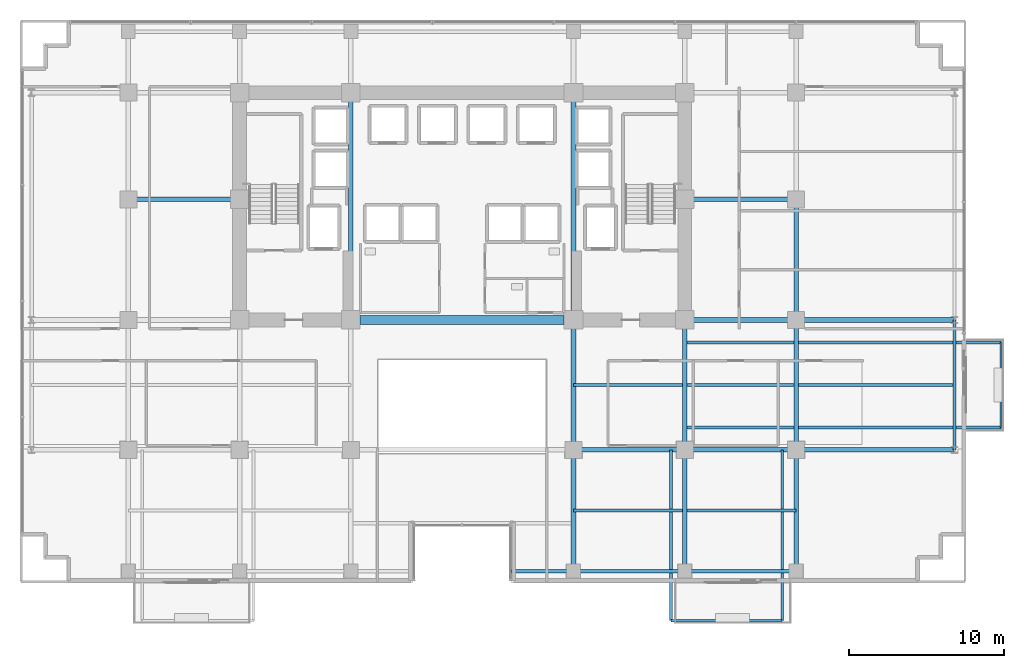
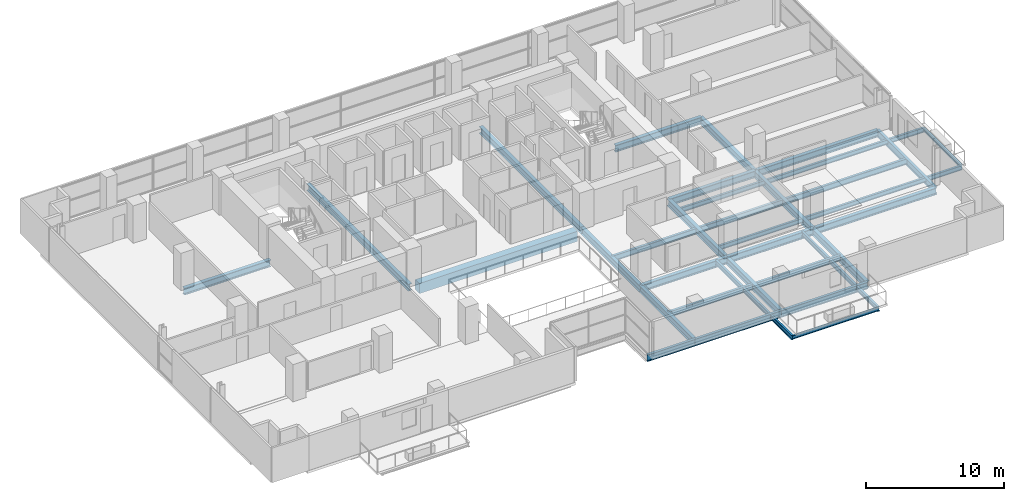
# One storey, part 10 of 27: 32 beams.
"""IFC4 building model written with IfcOpenShell, lengths in metres."""

from ifc_helpers import new_model, si_unit, direction, frame, origin, origin_2d, place, context, subcontext, project, spatial, rectangle, i_section, extrude, material, material_profile, profile_set, type_object, element, save


model = new_model("IFC4")

# Units and contexts
model_context = context("Model", 3, precision=1e-05, world=origin(), true_north=direction((0.0, 1.0)))
body_context = subcontext(model_context, "Body", "Model", "MODEL_VIEW")
ifc_project = project(units=[si_unit("LENGTHUNIT", "METRE"), si_unit("AREAUNIT", "SQUARE_METRE"), si_unit("VOLUMEUNIT", "CUBIC_METRE"), si_unit("PLANEANGLEUNIT", "RADIAN"), si_unit("MASSUNIT", "GRAM", prefix="KILO")], contexts=[model_context])

# Site, building, storey
site_placement = place(None, origin())
site = spatial("IfcSite", under=ifc_project, at=site_placement, CompositionType="ELEMENT")
building_placement = place(site_placement, origin())
building = spatial("IfcBuilding", under=site, at=building_placement, Name="Zarnakvel Exchange Tower", CompositionType="ELEMENT")
storey_placement = place(building_placement, frame((0.0, 0.0, 76.89990234375)))
storey = spatial("IfcBuildingStorey", under=building, at=storey_placement, Name="L21", CompositionType="ELEMENT", Elevation=76.89990234375)

# Beams
ifc_material_1 = material(Name="Steel S355", Category="steel")
ifc_material_profile_1 = material_profile(ifc_material_1, i_section(OverallWidth=0.199951171875, OverallDepth=0.5, WebThickness=0.01025390625, FlangeThickness=0.01611328125, FilletRadius=0.02099609375, at=origin_2d()))
ifc_profile_set_1 = profile_set([ifc_material_profile_1], Name="Steel S355")
beam_type_1 = type_object("IfcBeamType", Name="B-04", PredefinedType="JOIST", material=ifc_profile_set_1)
for number, where, z_axis, x_axis, name in (
    (1, (7.199951171875, -13.52490234375, -0.474853515625), (1.0, 0.0, 0.0), (0.0, 1.0, 0.0), "L21 Composite Floor Secondary Joist"),
    (2, (14.550048828125, -13.52490234375, -0.474853515625), (1.0, 0.0, 0.0), (0.0, 1.0, 0.0), "L21 Composite Floor Secondary Joist"),
    (3, (7.199951171875, -5.39990234375, -0.474853515625), (1.0, 0.0, 0.0), (0.0, 1.0, 0.0), "L21 Composite Floor Secondary Joist"),
):
    element("IfcBeam", number, at=place(storey_placement, frame(where, z_axis=z_axis, x_axis=x_axis)), inside=storey, type_object=beam_type_1, Name=name, PredefinedType="JOIST", context=body_context, shape_type="SweptSolid", body=[
        extrude(i_section(OverallWidth=0.199951171875, OverallDepth=0.5, WebThickness=0.01025390625, FlangeThickness=0.01611328125, FilletRadius=0.02099609375, at=origin_2d()), origin(), (0.0, 0.0, 1.0), 7.050048828125),
    ])
beam_1_placement = place(storey_placement, frame((14.550048828125, -5.39990234375, -0.474853515625), z_axis=(1.0, 0.0, 0.0), x_axis=(0.0, 1.0, 0.0)))
element("IfcBeam", 4, at=beam_1_placement, inside=storey, type_object=beam_type_1, Name="L21 Composite Floor Secondary Joist", PredefinedType="JOIST", context=body_context, shape_type="SweptSolid", body=[
    extrude(i_section(OverallWidth=0.199951171875, OverallDepth=0.5, WebThickness=0.01025390625, FlangeThickness=0.01611328125, FilletRadius=0.02099609375, at=origin_2d()), origin(), (0.0, 0.0, 1.0), 6.89990234375),
])
beam_2_placement = place(storey_placement, frame((21.75, -5.39990234375, -0.474853515625), z_axis=(1.0, 0.0, 0.0), x_axis=(0.0, 1.0, 0.0)))
element("IfcBeam", 5, at=beam_2_placement, inside=storey, type_object=beam_type_1, Name="L21 Composite Floor Secondary Joist", PredefinedType="JOIST", context=body_context, shape_type="SweptSolid", body=[
    extrude(i_section(OverallWidth=0.199951171875, OverallDepth=0.5, WebThickness=0.01025390625, FlangeThickness=0.01611328125, FilletRadius=0.02099609375, at=origin_2d()), origin(), (0.0, 0.0, 1.0), 10.10009765625),
])
ifc_material_profile_2 = material_profile(ifc_material_1, i_section(OverallWidth=0.179931640625, OverallDepth=0.39990234375, WebThickness=0.008544921875, FlangeThickness=0.013427734375, FilletRadius=0.02099609375, at=origin_2d()))
ifc_profile_set_2 = profile_set([ifc_material_profile_2], Name="Steel S355")
beam_type_2 = type_object("IfcBeamType", Name="B-06", PredefinedType="JOIST", material=ifc_profile_set_2)
for number, where, z_axis, x_axis, name in (
    (6, (13.5, -9.60009765625, -0.4248046875), (0.0, -1.0, 0.0), (1.0, 0.0, 0.0), "L21 Continuous Back-Spanned Balcony Beam W"),
    (7, (20.699951171875, -9.60009765625, -0.4248046875), (0.0, -1.0, 0.0), (1.0, 0.0, 0.0), "L21 Continuous Back-Spanned Balcony Beam E"),
):
    element("IfcBeam", number, at=place(storey_placement, frame(where, z_axis=z_axis, x_axis=x_axis)), inside=storey, type_object=beam_type_2, Name=name, PredefinedType="JOIST", context=body_context, shape_type="SweptSolid", body=[
        extrude(i_section(OverallWidth=0.179931640625, OverallDepth=0.39990234375, WebThickness=0.008544921875, FlangeThickness=0.013427734375, FilletRadius=0.02099609375, at=origin_2d()), origin(), (0.0, 0.0, 1.0), 11.0498046875),
    ])
for number, where, z_axis, x_axis, name in (
    (8, (14.39990234375, -8.14990234375, -0.4248046875), (1.0, 0.0, 0.0), (0.0, 1.0, 0.0), "L21 Continuous East Loggia Beam S"),
    (9, (14.39990234375, -2.64990234375, -0.4248046875), (1.0, 0.0, 0.0), (0.0, 1.0, 0.0), "L21 Continuous East Loggia Beam N"),
):
    element("IfcBeam", number, at=place(storey_placement, frame(where, z_axis=z_axis, x_axis=x_axis)), inside=storey, type_object=beam_type_2, Name=name, PredefinedType="JOIST", context=body_context, shape_type="SweptSolid", body=[
        extrude(i_section(OverallWidth=0.179931640625, OverallDepth=0.39990234375, WebThickness=0.008544921875, FlangeThickness=0.013427734375, FilletRadius=0.02099609375, at=origin_2d()), origin(), (0.0, 0.0, 1.0), 20.4501953125),
    ])
ifc_material_profile_3 = material_profile(ifc_material_1, i_section(OverallWidth=0.14990234375, OverallDepth=0.300048828125, WebThickness=0.007080078125, FlangeThickness=0.0107421875, FilletRadius=0.014892578125, at=origin_2d()))
ifc_profile_set_3 = profile_set([ifc_material_profile_3], Name="Steel S355")
beam_type_3 = type_object("IfcBeamType", Name="B-08", PredefinedType="JOIST", material=ifc_profile_set_3)
beam_3_placement = place(storey_placement, frame((13.5, -20.64990234375, -0.375), z_axis=(1.0, 0.0, 0.0), x_axis=(0.0, 1.0, 0.0)))
element("IfcBeam", 10, at=beam_3_placement, inside=storey, type_object=beam_type_3, Name="L21 Balcony Edge Beam", PredefinedType="JOIST", context=body_context, shape_type="SweptSolid", body=[
    extrude(i_section(OverallWidth=0.14990234375, OverallDepth=0.300048828125, WebThickness=0.007080078125, FlangeThickness=0.0107421875, FilletRadius=0.014892578125, at=origin_2d()), origin(), (0.0, 0.0, 1.0), 7.199951171875),
])
beam_4_placement = place(storey_placement, frame((34.85009765625, -8.14990234375, -0.375), z_axis=(0.0, 1.0, 0.0), x_axis=(-1.0, 0.0, 0.0)))
element("IfcBeam", 11, at=beam_4_placement, inside=storey, type_object=beam_type_3, Name="L21 East Loggia Edge Beam", PredefinedType="JOIST", context=body_context, shape_type="SweptSolid", body=[
    extrude(i_section(OverallWidth=0.14990234375, OverallDepth=0.300048828125, WebThickness=0.007080078125, FlangeThickness=0.0107421875, FilletRadius=0.014892578125, at=origin_2d()), origin(), (0.0, 0.0, 1.0), 5.5),
])
ifc_material_2 = material(Name="Concrete C80/95", Category="concrete")
ifc_material_profile_4 = material_profile(ifc_material_2, rectangle(XDim=0.60009765625, YDim=0.89990234375, at=origin_2d()))
ifc_profile_set_4 = profile_set([ifc_material_profile_4], Name="Concrete C80/95")
beam_type_4 = type_object("IfcBeamType", Name="CB-01", PredefinedType="LINTEL", material=ifc_profile_set_4)
beam_5_placement = place(storey_placement, frame((-6.60009765625, -1.199951171875, -0.6748046875), z_axis=(1.0, 0.0, 0.0), x_axis=(0.0, 1.0, 0.0)))
element("IfcBeam", 12, at=beam_5_placement, inside=storey, type_object=beam_type_4, Name="L21 Rear Core South Coupling Beam (CB-01)", PredefinedType="LINTEL", context=body_context, shape_type="SweptSolid", body=[
    extrude(rectangle(XDim=0.60009765625, YDim=0.89990234375, at=origin_2d()), origin(), (0.0, 0.0, 1.0), 13.2001953125),
])
ifc_material_profile_5 = material_profile(ifc_material_1, i_section(OverallWidth=0.300048828125, OverallDepth=0.60009765625, WebThickness=0.015380859375, FlangeThickness=0.030029296875, FilletRadius=0.027099609375, at=origin_2d()))
ifc_profile_set_5 = profile_set([ifc_material_profile_5], Name="Steel S355")
beam_type_5 = type_object("IfcBeamType", Name="G-04", PredefinedType="BEAM", material=ifc_profile_set_5)
beam_6_placement = place(storey_placement, frame((7.199951171875, -9.60009765625, -0.52490234375), z_axis=(1.0, 0.0, 0.0), x_axis=(0.0, 1.0, 0.0)))
element("IfcBeam", 13, at=beam_6_placement, inside=storey, type_object=beam_type_5, Name="L21 Tower E-W Frame Beam", PredefinedType="BEAM", context=body_context, shape_type="SweptSolid", body=[
    extrude(i_section(OverallWidth=0.300048828125, OverallDepth=0.60009765625, WebThickness=0.015380859375, FlangeThickness=0.030029296875, FilletRadius=0.027099609375, at=origin_2d()), origin(), (0.0, 0.0, 1.0), 7.199951171875),
])
beam_7_placement = place(storey_placement, frame((14.39990234375, -9.60009765625, -0.52490234375), z_axis=(1.0, 0.0, 0.0), x_axis=(0.0, 1.0, 0.0)))
element("IfcBeam", 14, at=beam_7_placement, inside=storey, type_object=beam_type_5, Name="L21 Tower E-W Frame Beam", PredefinedType="BEAM", context=body_context, shape_type="SweptSolid", body=[
    extrude(i_section(OverallWidth=0.300048828125, OverallDepth=0.60009765625, WebThickness=0.015380859375, FlangeThickness=0.030029296875, FilletRadius=0.027099609375, at=origin_2d()), origin(), (0.0, 0.0, 1.0), 7.2001953125),
])
beam_8_placement = place(storey_placement, frame((21.60009765625, -9.60009765625, -0.52490234375), z_axis=(1.0, 0.0, 0.0), x_axis=(0.0, 1.0, 0.0)))
element("IfcBeam", 15, at=beam_8_placement, inside=storey, type_object=beam_type_5, Name="L21 Tower E-W Frame Beam", PredefinedType="BEAM", context=body_context, shape_type="SweptSolid", body=[
    extrude(i_section(OverallWidth=0.300048828125, OverallDepth=0.60009765625, WebThickness=0.015380859375, FlangeThickness=0.030029296875, FilletRadius=0.027099609375, at=origin_2d()), origin(), (0.0, 0.0, 1.0), 10.25),
])
beam_9_placement = place(storey_placement, frame((14.39990234375, -1.199951171875, -0.52490234375), z_axis=(1.0, 0.0, 0.0), x_axis=(0.0, 1.0, 0.0)))
element("IfcBeam", 16, at=beam_9_placement, inside=storey, type_object=beam_type_5, Name="L21 Tower E-W Frame Beam", PredefinedType="BEAM", context=body_context, shape_type="SweptSolid", body=[
    extrude(i_section(OverallWidth=0.300048828125, OverallDepth=0.60009765625, WebThickness=0.015380859375, FlangeThickness=0.030029296875, FilletRadius=0.027099609375, at=origin_2d()), origin(), (0.0, 0.0, 1.0), 7.2001953125),
])
beam_10_placement = place(storey_placement, frame((21.60009765625, -1.199951171875, -0.52490234375), z_axis=(1.0, 0.0, 0.0), x_axis=(0.0, 1.0, 0.0)))
element("IfcBeam", 17, at=beam_10_placement, inside=storey, type_object=beam_type_5, Name="L21 Tower E-W Frame Beam", PredefinedType="BEAM", context=body_context, shape_type="SweptSolid", body=[
    extrude(i_section(OverallWidth=0.300048828125, OverallDepth=0.60009765625, WebThickness=0.015380859375, FlangeThickness=0.030029296875, FilletRadius=0.027099609375, at=origin_2d()), origin(), (0.0, 0.0, 1.0), 10.25),
])
for number, where, z_axis, x_axis, name in (
    (18, (-21.60009765625, 6.60009765625, -0.52490234375), (1.0, 0.0, 0.0), (0.0, 1.0, 0.0), "L21 Tower E-W Frame Beam"),
    (19, (14.39990234375, 6.60009765625, -0.52490234375), (1.0, 0.0, 0.0), (0.0, 1.0, 0.0), "L21 Tower E-W Frame Beam"),
):
    element("IfcBeam", number, at=place(storey_placement, frame(where, z_axis=z_axis, x_axis=x_axis)), inside=storey, type_object=beam_type_5, Name=name, PredefinedType="BEAM", context=body_context, shape_type="SweptSolid", body=[
        extrude(i_section(OverallWidth=0.300048828125, OverallDepth=0.60009765625, WebThickness=0.015380859375, FlangeThickness=0.030029296875, FilletRadius=0.027099609375, at=origin_2d()), origin(), (0.0, 0.0, 1.0), 7.2001953125),
    ])
beam_11_placement = place(storey_placement, frame((-7.199951171875, -1.199951171875, -0.52490234375), z_axis=(0.0, 1.0, 0.0), x_axis=(-1.0, 0.0, 0.0)))
element("IfcBeam", 20, at=beam_11_placement, inside=storey, type_object=beam_type_5, Name="L21 Tower N-S Frame Beam", PredefinedType="BEAM", context=body_context, shape_type="SweptSolid", body=[
    extrude(i_section(OverallWidth=0.300048828125, OverallDepth=0.60009765625, WebThickness=0.015380859375, FlangeThickness=0.030029296875, FilletRadius=0.027099609375, at=origin_2d()), origin(), (0.0, 0.0, 1.0), 14.699951171875),
])
beam_12_placement = place(storey_placement, frame((7.199951171875, -17.449951171875, -0.52490234375), z_axis=(0.0, 1.0, 0.0), x_axis=(-1.0, 0.0, 0.0)))
element("IfcBeam", 21, at=beam_12_placement, inside=storey, type_object=beam_type_5, Name="L21 Tower N-S Frame Beam", PredefinedType="BEAM", context=body_context, shape_type="SweptSolid", body=[
    extrude(i_section(OverallWidth=0.300048828125, OverallDepth=0.60009765625, WebThickness=0.015380859375, FlangeThickness=0.030029296875, FilletRadius=0.027099609375, at=origin_2d()), origin(), (0.0, 0.0, 1.0), 7.849853515625),
])
beam_13_placement = place(storey_placement, frame((7.199951171875, -9.60009765625, -0.52490234375), z_axis=(0.0, 1.0, 0.0), x_axis=(-1.0, 0.0, 0.0)))
element("IfcBeam", 22, at=beam_13_placement, inside=storey, type_object=beam_type_5, Name="L21 Tower N-S Frame Beam", PredefinedType="BEAM", context=body_context, shape_type="SweptSolid", body=[
    extrude(i_section(OverallWidth=0.300048828125, OverallDepth=0.60009765625, WebThickness=0.015380859375, FlangeThickness=0.030029296875, FilletRadius=0.027099609375, at=origin_2d()), origin(), (0.0, 0.0, 1.0), 8.400146484375),
])
beam_14_placement = place(storey_placement, frame((7.199951171875, -1.199951171875, -0.52490234375), z_axis=(0.0, 1.0, 0.0), x_axis=(-1.0, 0.0, 0.0)))
element("IfcBeam", 23, at=beam_14_placement, inside=storey, type_object=beam_type_5, Name="L21 Tower N-S Frame Beam", PredefinedType="BEAM", context=body_context, shape_type="SweptSolid", body=[
    extrude(i_section(OverallWidth=0.300048828125, OverallDepth=0.60009765625, WebThickness=0.015380859375, FlangeThickness=0.030029296875, FilletRadius=0.027099609375, at=origin_2d()), origin(), (0.0, 0.0, 1.0), 14.699951171875),
])
beam_15_placement = place(storey_placement, frame((14.39990234375, -17.449951171875, -0.52490234375), z_axis=(0.0, 1.0, 0.0), x_axis=(-1.0, 0.0, 0.0)))
element("IfcBeam", 24, at=beam_15_placement, inside=storey, type_object=beam_type_5, Name="L21 Tower N-S Frame Beam", PredefinedType="BEAM", context=body_context, shape_type="SweptSolid", body=[
    extrude(i_section(OverallWidth=0.300048828125, OverallDepth=0.60009765625, WebThickness=0.015380859375, FlangeThickness=0.030029296875, FilletRadius=0.027099609375, at=origin_2d()), origin(), (0.0, 0.0, 1.0), 7.849853515625),
])
beam_16_placement = place(storey_placement, frame((14.39990234375, -9.60009765625, -0.52490234375), z_axis=(0.0, 1.0, 0.0), x_axis=(-1.0, 0.0, 0.0)))
element("IfcBeam", 25, at=beam_16_placement, inside=storey, type_object=beam_type_5, Name="L21 Tower N-S Frame Beam", PredefinedType="BEAM", context=body_context, shape_type="SweptSolid", body=[
    extrude(i_section(OverallWidth=0.300048828125, OverallDepth=0.60009765625, WebThickness=0.015380859375, FlangeThickness=0.030029296875, FilletRadius=0.027099609375, at=origin_2d()), origin(), (0.0, 0.0, 1.0), 8.400146484375),
])
beam_17_placement = place(storey_placement, frame((21.60009765625, -17.449951171875, -0.52490234375), z_axis=(0.0, 1.0, 0.0), x_axis=(-1.0, 0.0, 0.0)))
element("IfcBeam", 26, at=beam_17_placement, inside=storey, type_object=beam_type_5, Name="L21 Tower N-S Frame Beam", PredefinedType="BEAM", context=body_context, shape_type="SweptSolid", body=[
    extrude(i_section(OverallWidth=0.300048828125, OverallDepth=0.60009765625, WebThickness=0.015380859375, FlangeThickness=0.030029296875, FilletRadius=0.027099609375, at=origin_2d()), origin(), (0.0, 0.0, 1.0), 7.849853515625),
])
beam_18_placement = place(storey_placement, frame((21.60009765625, -9.60009765625, -0.52490234375), z_axis=(0.0, 1.0, 0.0), x_axis=(-1.0, 0.0, 0.0)))
element("IfcBeam", 27, at=beam_18_placement, inside=storey, type_object=beam_type_5, Name="L21 Tower N-S Frame Beam", PredefinedType="BEAM", context=body_context, shape_type="SweptSolid", body=[
    extrude(i_section(OverallWidth=0.300048828125, OverallDepth=0.60009765625, WebThickness=0.015380859375, FlangeThickness=0.030029296875, FilletRadius=0.027099609375, at=origin_2d()), origin(), (0.0, 0.0, 1.0), 8.400146484375),
])
beam_19_placement = place(storey_placement, frame((21.60009765625, -1.199951171875, -0.52490234375), z_axis=(0.0, 1.0, 0.0), x_axis=(-1.0, 0.0, 0.0)))
element("IfcBeam", 28, at=beam_19_placement, inside=storey, type_object=beam_type_5, Name="L21 Tower N-S Frame Beam", PredefinedType="BEAM", context=body_context, shape_type="SweptSolid", body=[
    extrude(i_section(OverallWidth=0.300048828125, OverallDepth=0.60009765625, WebThickness=0.015380859375, FlangeThickness=0.030029296875, FilletRadius=0.027099609375, at=origin_2d()), origin(), (0.0, 0.0, 1.0), 7.800048828125),
])
ifc_material_profile_6 = material_profile(ifc_material_1, i_section(OverallWidth=0.219970703125, OverallDepth=0.60009765625, WebThickness=0.011962890625, FlangeThickness=0.01904296875, FilletRadius=0.02392578125, at=origin_2d()))
ifc_profile_set_6 = profile_set([ifc_material_profile_6], Name="Steel S355")
beam_type_6 = type_object("IfcBeamType", Name="SP-01", PredefinedType="SPANDREL", material=ifc_profile_set_6)
beam_20_placement = place(storey_placement, frame((3.199951171875, -17.449951171875, -0.52490234375), z_axis=(1.0, 0.0, 0.0), x_axis=(0.0, 1.0, 0.0)))
element("IfcBeam", 29, at=beam_20_placement, inside=storey, type_object=beam_type_6, Name="L21 South Slot East Jamb Spandrel", PredefinedType="SPANDREL", context=body_context, shape_type="SweptSolid", body=[
    extrude(i_section(OverallWidth=0.219970703125, OverallDepth=0.60009765625, WebThickness=0.011962890625, FlangeThickness=0.01904296875, FilletRadius=0.02392578125, at=origin_2d()), origin(), (0.0, 0.0, 1.0), 4.0),
])
beam_21_placement = place(storey_placement, frame((7.199951171875, -17.449951171875, -0.52490234375), z_axis=(1.0, 0.0, 0.0), x_axis=(0.0, 1.0, 0.0)))
element("IfcBeam", 30, at=beam_21_placement, inside=storey, type_object=beam_type_6, Name="L21 Tower E-W Frame Beam", PredefinedType="SPANDREL", context=body_context, shape_type="SweptSolid", body=[
    extrude(i_section(OverallWidth=0.219970703125, OverallDepth=0.60009765625, WebThickness=0.011962890625, FlangeThickness=0.01904296875, FilletRadius=0.02392578125, at=origin_2d()), origin(), (0.0, 0.0, 1.0), 7.199951171875),
])
beam_22_placement = place(storey_placement, frame((14.39990234375, -17.449951171875, -0.52490234375), z_axis=(1.0, 0.0, 0.0), x_axis=(0.0, 1.0, 0.0)))
element("IfcBeam", 31, at=beam_22_placement, inside=storey, type_object=beam_type_6, Name="L21 Tower E-W Frame Beam", PredefinedType="SPANDREL", context=body_context, shape_type="SweptSolid", body=[
    extrude(i_section(OverallWidth=0.219970703125, OverallDepth=0.60009765625, WebThickness=0.011962890625, FlangeThickness=0.01904296875, FilletRadius=0.02392578125, at=origin_2d()), origin(), (0.0, 0.0, 1.0), 7.2001953125),
])
beam_23_placement = place(storey_placement, frame((31.85009765625, -9.60009765625, -0.52490234375), z_axis=(0.0, 1.0, 0.0), x_axis=(-1.0, 0.0, 0.0)))
element("IfcBeam", 32, at=beam_23_placement, inside=storey, type_object=beam_type_6, Name="L21 Tower N-S Frame Beam", PredefinedType="SPANDREL", context=body_context, shape_type="SweptSolid", body=[
    extrude(i_section(OverallWidth=0.219970703125, OverallDepth=0.60009765625, WebThickness=0.011962890625, FlangeThickness=0.01904296875, FilletRadius=0.02392578125, at=origin_2d()), origin(), (0.0, 0.0, 1.0), 8.400146484375),
])

save(model, "model.ifc")
